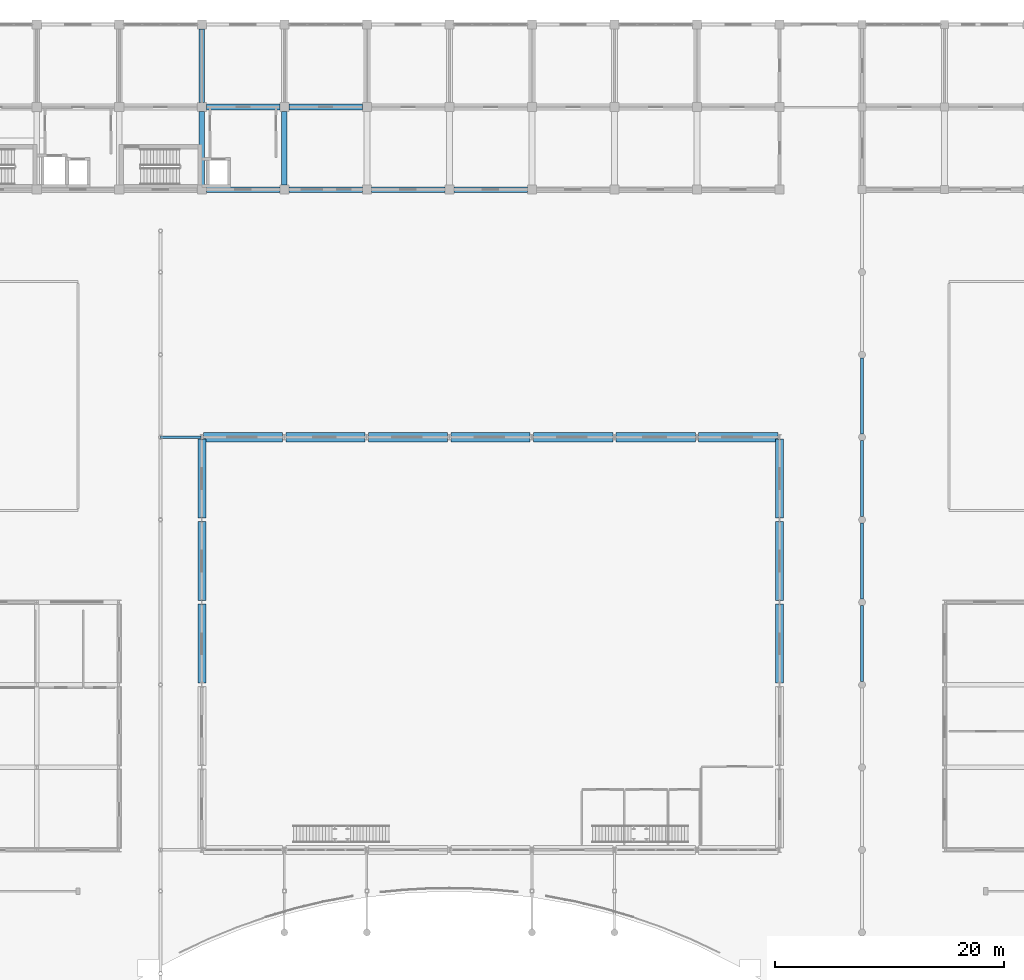
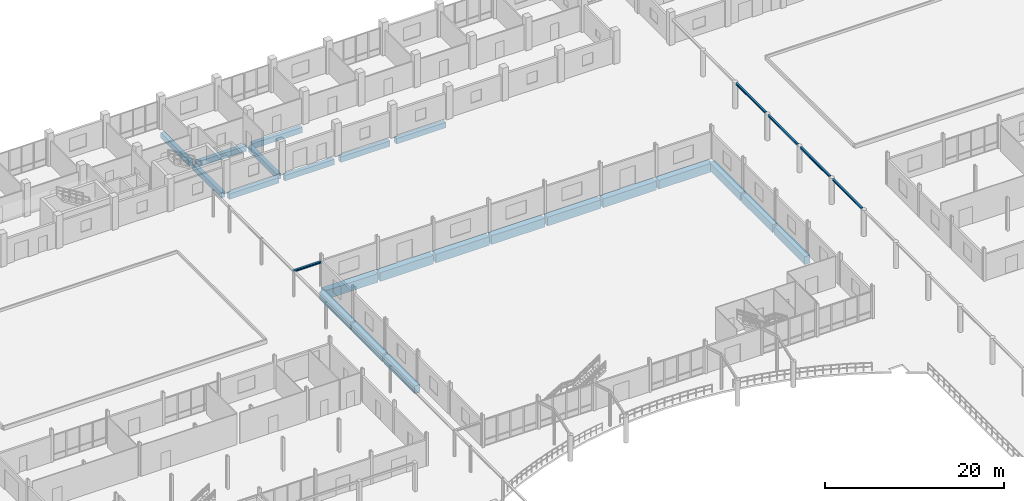
# One storey, part 58 of 139: 27 beams.
"""IFC4 building model written with IfcOpenShell, lengths in metres."""

import ifcopenshell
import ifcopenshell.guid

model = None  # the IFC model being written
_history = None  # IfcOwnerHistory: only IFC2X3 demands one
_inside = {}  # id of a spatial element -> (the spatial element, [elements in it])
_under = {}  # id of a project, library or spatial element -> (it, [spatial elements below it])
_declared = {}  # id of a project -> (the project, [libraries it declares])
_typed = {}  # id of a type object -> (the type object, [elements of that type])
_made_of = {}  # id of a material, layer set ... -> (it, [elements and type objects made of it])


def new_model(schema):
    """Start an empty IFC model of exactly this schema.

    Asked for "IFC4X3", IfcOpenShell would pick the latest addendum, in which some entities
    have other attributes; the version numbers below select the first issue.
    IFC2X3 requires an IfcOwnerHistory on every rooted entity: one is made here for all.
    """
    global model, _history
    if schema == "IFC4X3":
        model = ifcopenshell.file(schema_version=(4, 3, 0, 0))
    else:
        model = ifcopenshell.file(schema=schema)
    _inside.clear()
    _under.clear()
    _declared.clear()
    _typed.clear()
    _made_of.clear()
    _history = None
    if model.schema == "IFC2X3":
        org = make("IfcOrganization", Name="unknown")
        user = make(
            "IfcPersonAndOrganization",
            ThePerson=make("IfcPerson", FamilyName="unknown"),
            TheOrganization=org,
        )
        app = make(
            "IfcApplication",
            ApplicationDeveloper=org,
            Version="unknown",
            ApplicationFullName="unknown",
            ApplicationIdentifier="unknown",
        )
        _history = make(
            "IfcOwnerHistory",
            OwningUser=user,
            OwningApplication=app,
            ChangeAction="ADDED",
            CreationDate=0,
        )
    return model


def make(cls, **values):
    """One entity of the class cls with the attributes given. An attribute that is None is left unset."""
    return model.create_entity(
        cls, **{name: value for name, value in values.items() if value is not None}
    )


def rooted(cls, **values):
    """An entity with a GlobalId (a new one), such as an element, a storey or a relation."""
    return make(cls, GlobalId=ifcopenshell.guid.new(), OwnerHistory=_history, **values)


def si_unit(unit_type, name, prefix=None):
    """IfcSIUnit, for example si_unit("LENGTHUNIT", "METRE", prefix="MILLI")."""
    return make("IfcSIUnit", UnitType=unit_type, Prefix=prefix, Name=name)


def assignment(units):
    """IfcUnitAssignment: the units of a project."""
    return None if units is None else make("IfcUnitAssignment", Units=units)


def point(xyz):
    """IfcCartesianPoint."""
    return None if xyz is None else make("IfcCartesianPoint", Coordinates=xyz)


def direction(xyz):
    """IfcDirection."""
    return None if xyz is None else make("IfcDirection", DirectionRatios=xyz)


def frame(location, z_axis=None, x_axis=None):
    """IfcAxis2Placement3D, a coordinate frame: its origin and axes. An axis left out is left unset."""
    return make(
        "IfcAxis2Placement3D",
        Location=point(location),
        Axis=direction(z_axis),
        RefDirection=direction(x_axis),
    )


def frame_2d(location, x_axis=None):
    """IfcAxis2Placement2D, a coordinate frame in the plane: its origin and x axis."""
    return make(
        "IfcAxis2Placement2D", Location=point(location), RefDirection=direction(x_axis)
    )


def origin():
    """The frame at (0, 0, 0) with its axes left unset."""
    return frame((0.0, 0.0, 0.0))


def origin_2d():
    """The frame at (0, 0) in the plane with its x axis left unset."""
    return frame_2d((0.0, 0.0))


def place(relative_to, where):
    """IfcLocalPlacement: puts the frame where relative to a parent placement (None: the world)."""
    return make(
        "IfcLocalPlacement", PlacementRelTo=relative_to, RelativePlacement=where
    )


def context(
    kind, dimensions, precision=None, world=None, true_north=None, identifier=None
):
    """IfcGeometricRepresentationContext, for example the 3D "Model" context."""
    return make(
        "IfcGeometricRepresentationContext",
        ContextIdentifier=identifier,
        ContextType=kind,
        CoordinateSpaceDimension=dimensions,
        Precision=precision,
        WorldCoordinateSystem=world,
        TrueNorth=true_north,
    )


def subcontext(parent, identifier, kind, view, scale=None):
    """IfcGeometricRepresentationSubContext, for example "Body" below "Model"."""
    return make(
        "IfcGeometricRepresentationSubContext",
        ContextIdentifier=identifier,
        ContextType=kind,
        ParentContext=parent,
        TargetScale=scale,
        TargetView=view,
    )


def project(units=None, contexts=None):
    """IfcProject with its units and contexts."""
    return rooted(
        "IfcProject",
        Name="project",
        RepresentationContexts=contexts,
        UnitsInContext=assignment(units),
    )


def spatial(cls, under=None, at=None, **own):
    """A site, building, storey or space (cls), placed at a placement, below another one or the project."""
    s = rooted(cls, ObjectPlacement=at, **own)
    if under is not None:
        _under.setdefault(under.id(), (under, []))[1].append(s)
    return s


def profile(cls, at=None, kind="AREA", **sizes):
    """A parametric profile (cls). Its sizes go by their IFC names, for example OverallWidth=200.0."""
    return make(cls, ProfileType=kind, Position=at, **sizes)


def rectangle(**sizes):
    """IfcRectangleProfileDef."""
    return profile("IfcRectangleProfileDef", **sizes)


def i_section(**sizes):
    """IfcIShapeProfileDef."""
    return profile("IfcIShapeProfileDef", **sizes)


def extrude(swept, where, along, depth):
    """IfcExtrudedAreaSolid: the profile swept, set in the frame where, extruded along a direction by depth."""
    return make(
        "IfcExtrudedAreaSolid",
        SweptArea=swept,
        Position=where,
        ExtrudedDirection=direction(along),
        Depth=depth,
    )


def shape(context_of_items, identifier, shape_type, items):
    """IfcShapeRepresentation: the items that make up one representation, for example the "Body"."""
    return make(
        "IfcShapeRepresentation",
        ContextOfItems=context_of_items,
        RepresentationIdentifier=identifier,
        RepresentationType=shape_type,
        Items=items,
    )


def material(Name=None, Category=None):
    """IfcMaterial."""
    return make("IfcMaterial", Name=Name, Category=Category)


def material_profile(
    of_material, cross_section, Name=None, Category=None, Priority=None
):
    """IfcMaterialProfile: a cross section and its material."""
    return make(
        "IfcMaterialProfile",
        Name=Name,
        Material=of_material,
        Profile=cross_section,
        Priority=Priority,
        Category=Category,
    )


def profile_set(profiles, Name=None, composite=None):
    """IfcMaterialProfileSet."""
    return make(
        "IfcMaterialProfileSet",
        Name=Name,
        MaterialProfiles=profiles,
        CompositeProfile=composite,
    )


def made_of(thing, what):
    """Note that an element or type object is made of a material, layer set ...; save() writes the relation."""
    if what is not None:
        _made_of.setdefault(what.id(), (what, []))[1].append(thing)
    return thing


def type_object(cls, material=None, **own):
    """A type object (cls), such as IfcWallType, which elements share."""
    return made_of(rooted(cls, **own), material)


def element(
    cls,
    number,
    at=None,
    inside=None,
    cuts=None,
    type_object=None,
    material=None,
    context=None,
    identifier="Body",
    shape_type=None,
    held_by="IfcProductDefinitionShape",
    body=None,
    shapes=None,
    **own,
):
    """One element of the class cls, such as IfcWall. Its Tag is "e" and its number.

    at: its placement. inside: the storey or other place that contains it. cuts: it is an
    opening in that element (IfcRelVoidsElement). A single representation is given by context,
    identifier, shape_type and body (its items); several are given by shapes. held_by: the class
    of the entity that holds the representations. save() writes the other relations.
    """
    e = rooted(cls, Tag="e%d" % number, ObjectPlacement=at, **own)
    if body is not None:
        shapes = [shape(context, identifier, shape_type, body)]
    if shapes is not None:
        e.Representation = make(held_by, Representations=shapes)
    if inside is not None:
        _inside.setdefault(inside.id(), (inside, []))[1].append(e)
    if cuts is not None:
        rooted(
            "IfcRelVoidsElement", RelatingBuildingElement=cuts, RelatedOpeningElement=e
        )
    if type_object is not None:
        _typed.setdefault(type_object.id(), (type_object, []))[1].append(e)
    return made_of(e, material)


def aggregate(whole, parts):
    """IfcRelAggregates: a whole, such as a stair, and the parts it consists of."""
    return rooted("IfcRelAggregates", RelatingObject=whole, RelatedObjects=parts)


def save(model, path):
    """Write the relations noted so far, then the file.

    IfcRelAggregates (storeys below a building ...), IfcRelContainedInSpatialStructure (elements
    in a storey), IfcRelDefinesByType, IfcRelAssociatesMaterial and IfcRelDeclares: one each for
    every whole, place, type object, material and project.
    """
    for whole, parts in _under.values():
        aggregate(whole, parts)
    for where, things in _inside.values():
        rooted(
            "IfcRelContainedInSpatialStructure",
            RelatedElements=things,
            RelatingStructure=where,
        )
    for kind, things in _typed.values():
        rooted("IfcRelDefinesByType", RelatedObjects=things, RelatingType=kind)
    for what, things in _made_of.values():
        rooted("IfcRelAssociatesMaterial", RelatedObjects=things, RelatingMaterial=what)
    for by, libraries in _declared.values():
        rooted("IfcRelDeclares", RelatingContext=by, RelatedDefinitions=libraries)
    model.write(path)


model = new_model("IFC4")

# Units and contexts
model_context = context("Model", 3, precision=1e-05, world=origin(), true_north=direction((0.0, 1.0)))
body_context = subcontext(model_context, "Body", "Model", "MODEL_VIEW")
ifc_project = project(units=[si_unit("LENGTHUNIT", "METRE"), si_unit("AREAUNIT", "SQUARE_METRE"), si_unit("VOLUMEUNIT", "CUBIC_METRE"), si_unit("PLANEANGLEUNIT", "RADIAN"), si_unit("MASSUNIT", "GRAM", prefix="KILO")], contexts=[model_context])

# Site, building, storey
site_placement = place(None, origin())
site = spatial("IfcSite", under=ifc_project, at=site_placement, CompositionType="ELEMENT")
building_placement = place(site_placement, origin())
building = spatial("IfcBuilding", under=site, at=building_placement, Name="Suanplinth Sawtooth Commons", CompositionType="ELEMENT")
storey_placement = place(building_placement, origin())
storey = spatial("IfcBuildingStorey", under=building, at=storey_placement, Name="L00", CompositionType="ELEMENT", Elevation=0.0)

# Beams
ifc_material_1 = material(Name="Concrete C40/50", Category="concrete")
ifc_material_profile_1 = material_profile(ifc_material_1, rectangle(XDim=0.800048828125, YDim=1.199951171875, at=origin_2d()), Name="RC-TG 800x1200")
ifc_profile_set_1 = profile_set([ifc_material_profile_1], Name="Concrete C40/50")
beam_type_1 = type_object("IfcBeamType", Name="B-01", PredefinedType="USERDEFINED", material=ifc_profile_set_1)
for number, where, z_axis, x_axis, name in (
    (1, (64.949951171875, 86.39990234375, -1.010009765625), (1.0, 0.0, 0.0), (0.0, 1.0, 0.0), "BMX-L00-HALL-9-12"),
    (2, (72.14990234375, 86.39990234375, -1.010009765625), (1.0, 0.0, 0.0), (0.0, 1.0, 0.0), "BMX-L00-HALL-10-12"),
):
    element("IfcBeam", number, at=place(storey_placement, frame(where, z_axis=z_axis, x_axis=x_axis)), inside=storey, type_object=beam_type_1, Name=name, ObjectType="GIRDER", PredefinedType="USERDEFINED", context=body_context, shape_type="SweptSolid", body=[
        extrude(rectangle(XDim=0.800048828125, YDim=1.199951171875, at=origin_2d()), origin(), (0.0, 0.0, 1.0), 6.900146484375),
    ])
for number, where, z_axis, x_axis, name in (
    (3, (79.35009765625, 86.39990234375, -1.010009765625), (1.0, 0.0, 0.0), (0.0, 1.0, 0.0), "BMX-L00-HALL-11-12"),
    (4, (86.550048828125, 86.39990234375, -1.010009765625), (1.0, 0.0, 0.0), (0.0, 1.0, 0.0), "BMX-L00-HALL-12-12"),
    (5, (93.75, 86.39990234375, -1.010009765625), (1.0, 0.0, 0.0), (0.0, 1.0, 0.0), "BMX-L00-HALL-13-12"),
):
    element("IfcBeam", number, at=place(storey_placement, frame(where, z_axis=z_axis, x_axis=x_axis)), inside=storey, type_object=beam_type_1, Name=name, ObjectType="GIRDER", PredefinedType="USERDEFINED", context=body_context, shape_type="SweptSolid", body=[
        extrude(rectangle(XDim=0.800048828125, YDim=1.199951171875, at=origin_2d()), origin(), (0.0, 0.0, 1.0), 6.89990234375),
    ])
for number, where, z_axis, x_axis, name in (
    (6, (100.949951171875, 86.39990234375, -1.010009765625), (1.0, 0.0, 0.0), (0.0, 1.0, 0.0), "BMX-L00-HALL-14-12"),
    (7, (108.14990234375, 86.39990234375, -1.010009765625), (1.0, 0.0, 0.0), (0.0, 1.0, 0.0), "BMX-L00-HALL-15-12"),
):
    element("IfcBeam", number, at=place(storey_placement, frame(where, z_axis=z_axis, x_axis=x_axis)), inside=storey, type_object=beam_type_1, Name=name, ObjectType="GIRDER", PredefinedType="USERDEFINED", context=body_context, shape_type="SweptSolid", body=[
        extrude(rectangle(XDim=0.800048828125, YDim=1.199951171875, at=origin_2d()), origin(), (0.0, 0.0, 1.0), 6.900146484375),
    ])
ifc_material_profile_2 = material_profile(ifc_material_1, rectangle(XDim=0.699951171875, YDim=1.10009765625, at=origin_2d()), Name="RC-TG 700x1100")
ifc_profile_set_2 = profile_set([ifc_material_profile_2], Name="Concrete C40/50")
beam_type_2 = type_object("IfcBeamType", Name="B-02", PredefinedType="USERDEFINED", material=ifc_profile_set_2)
for number, where, z_axis, x_axis, name in (
    (8, (64.800048828125, 64.949951171875, -0.9599609375), (0.0, 1.0, 0.0), (-1.0, 0.0, 0.0), "BMY-L00-HALL-9-9"),
    (9, (115.199951171875, 64.949951171875, -0.9599609375), (0.0, 1.0, 0.0), (-1.0, 0.0, 0.0), "BMY-L00-HALL-16-9"),
    (10, (64.800048828125, 72.14990234375, -0.9599609375), (0.0, 1.0, 0.0), (-1.0, 0.0, 0.0), "BMY-L00-HALL-9-10"),
    (11, (115.199951171875, 72.14990234375, -0.9599609375), (0.0, 1.0, 0.0), (-1.0, 0.0, 0.0), "BMY-L00-HALL-16-10"),
):
    element("IfcBeam", number, at=place(storey_placement, frame(where, z_axis=z_axis, x_axis=x_axis)), inside=storey, type_object=beam_type_2, Name=name, ObjectType="GIRDER", PredefinedType="USERDEFINED", context=body_context, shape_type="SweptSolid", body=[
        extrude(rectangle(XDim=0.699951171875, YDim=1.10009765625, at=origin_2d()), origin(), (0.0, 0.0, 1.0), 6.900146484375),
    ])
for number, where, z_axis, x_axis, name in (
    (12, (64.800048828125, 79.35009765625, -0.9599609375), (0.0, 1.0, 0.0), (-1.0, 0.0, 0.0), "BMY-L00-HALL-9-11"),
    (13, (115.199951171875, 79.35009765625, -0.9599609375), (0.0, 1.0, 0.0), (-1.0, 0.0, 0.0), "BMY-L00-HALL-16-11"),
):
    element("IfcBeam", number, at=place(storey_placement, frame(where, z_axis=z_axis, x_axis=x_axis)), inside=storey, type_object=beam_type_2, Name=name, ObjectType="GIRDER", PredefinedType="USERDEFINED", context=body_context, shape_type="SweptSolid", body=[
        extrude(rectangle(XDim=0.699951171875, YDim=1.10009765625, at=origin_2d()), origin(), (0.0, 0.0, 1.0), 6.89990234375),
    ])
ifc_material_profile_3 = material_profile(ifc_material_1, rectangle(XDim=0.5, YDim=0.75, at=origin_2d()), Name="RC-GDR 500x750")
ifc_profile_set_3 = profile_set([ifc_material_profile_3], Name="Concrete C40/50")
beam_type_3 = type_object("IfcBeamType", Name="B-03", PredefinedType="USERDEFINED", material=ifc_profile_set_3)
for number, where, z_axis, x_axis, name in (
    (14, (65.199951171875, 108.0, -0.784912109375), (1.0, 0.0, 0.0), (0.0, 1.0, 0.0), "BMX-L00-A-9-15"),
    (15, (65.199951171875, 115.199951171875, -0.784912109375), (1.0, 0.0, 0.0), (0.0, 1.0, 0.0), "BMX-L00-A-9-16"),
    (16, (72.39990234375, 108.0, -0.784912109375), (1.0, 0.0, 0.0), (0.0, 1.0, 0.0), "BMX-L00-A-10-15"),
    (17, (72.39990234375, 115.199951171875, -0.784912109375), (1.0, 0.0, 0.0), (0.0, 1.0, 0.0), "BMX-L00-A-10-16"),
):
    element("IfcBeam", number, at=place(storey_placement, frame(where, z_axis=z_axis, x_axis=x_axis)), inside=storey, type_object=beam_type_3, Name=name, ObjectType="GIRDER", PredefinedType="USERDEFINED", context=body_context, shape_type="SweptSolid", body=[
        extrude(rectangle(XDim=0.5, YDim=0.75, at=origin_2d()), origin(), (0.0, 0.0, 1.0), 6.400146484375),
    ])
for number, where, z_axis, x_axis, name in (
    (18, (79.60009765625, 108.0, -0.784912109375), (1.0, 0.0, 0.0), (0.0, 1.0, 0.0), "BMX-L00-A-11-15"),
    (19, (86.800048828125, 108.0, -0.784912109375), (1.0, 0.0, 0.0), (0.0, 1.0, 0.0), "BMX-L00-A-12-15"),
):
    element("IfcBeam", number, at=place(storey_placement, frame(where, z_axis=z_axis, x_axis=x_axis)), inside=storey, type_object=beam_type_3, Name=name, ObjectType="GIRDER", PredefinedType="USERDEFINED", context=body_context, shape_type="SweptSolid", body=[
        extrude(rectangle(XDim=0.5, YDim=0.75, at=origin_2d()), origin(), (0.0, 0.0, 1.0), 6.39990234375),
    ])
beam_1_placement = place(storey_placement, frame((64.800048828125, 108.39990234375, -0.784912109375), z_axis=(0.0, 1.0, 0.0), x_axis=(-1.0, 0.0, 0.0)))
element("IfcBeam", 20, at=beam_1_placement, inside=storey, type_object=beam_type_3, Name="BMY-L00-A-9-15", ObjectType="GIRDER", PredefinedType="USERDEFINED", context=body_context, shape_type="SweptSolid", body=[
    extrude(rectangle(XDim=0.5, YDim=0.75, at=origin_2d()), origin(), (0.0, 0.0, 1.0), 6.400146484375),
])
beam_2_placement = place(storey_placement, frame((64.800048828125, 115.60009765625, -0.784912109375), z_axis=(0.0, 1.0, 0.0), x_axis=(-1.0, 0.0, 0.0)))
element("IfcBeam", 21, at=beam_2_placement, inside=storey, type_object=beam_type_3, Name="BMY-L00-A-9-16", ObjectType="GIRDER", PredefinedType="USERDEFINED", context=body_context, shape_type="SweptSolid", body=[
    extrude(rectangle(XDim=0.5, YDim=0.75, at=origin_2d()), origin(), (0.0, 0.0, 1.0), 6.39990234375),
])
beam_3_placement = place(storey_placement, frame((72.0, 108.39990234375, -0.784912109375), z_axis=(0.0, 1.0, 0.0), x_axis=(-1.0, 0.0, 0.0)))
element("IfcBeam", 22, at=beam_3_placement, inside=storey, type_object=beam_type_3, Name="BMY-L00-A-10-15", ObjectType="GIRDER", PredefinedType="USERDEFINED", context=body_context, shape_type="SweptSolid", body=[
    extrude(rectangle(XDim=0.5, YDim=0.75, at=origin_2d()), origin(), (0.0, 0.0, 1.0), 6.400146484375),
])
ifc_material_2 = material(Name="Steel S355JR", Category="steel")
ifc_material_profile_4 = material_profile(ifc_material_2, i_section(OverallWidth=0.239990234375, OverallDepth=0.22998046875, WebThickness=0.007568359375, FlangeThickness=0.011962890625, at=origin_2d()), Name="HEA 240")
ifc_profile_set_4 = profile_set([ifc_material_profile_4], Name="Steel S355JR")
beam_type_4 = type_object("IfcBeamType", Name="B-17", PredefinedType="BEAM", material=ifc_profile_set_4)
beam_4_placement = place(storey_placement, frame((61.199951171875, 86.39990234375, 3.43994140625), z_axis=(1.0, 0.0, 0.0), x_axis=(0.0, 1.0, 0.0)))
element("IfcBeam", 23, at=beam_4_placement, inside=storey, type_object=beam_type_4, Name="West Breezeway Tie Beam 2", PredefinedType="BEAM", context=body_context, shape_type="SweptSolid", body=[
    extrude(i_section(OverallWidth=0.239990234375, OverallDepth=0.22998046875, WebThickness=0.007568359375, FlangeThickness=0.011962890625, at=origin_2d()), origin(), (0.0, 0.0, 1.0), 3.52001953125),
])
for number, where, z_axis, x_axis, name in (
    (24, (122.39990234375, 65.10009765625, 3.43505859375), (0.0, 1.0, 0.0), (-1.0, 0.0, 0.0), "BM-EBZ-SPINE-9"),
    (25, (122.39990234375, 72.300048828125, 3.43505859375), (0.0, 1.0, 0.0), (-1.0, 0.0, 0.0), "BM-EBZ-SPINE-10"),
):
    element("IfcBeam", number, at=place(storey_placement, frame(where, z_axis=z_axis, x_axis=x_axis)), inside=storey, type_object=beam_type_4, Name=name, PredefinedType="BEAM", context=body_context, shape_type="SweptSolid", body=[
        extrude(i_section(OverallWidth=0.239990234375, OverallDepth=0.22998046875, WebThickness=0.007568359375, FlangeThickness=0.011962890625, at=origin_2d()), origin(), (0.0, 0.0, 1.0), 6.599853515625),
    ])
for number, where, z_axis, x_axis, name in (
    (26, (122.39990234375, 79.5, 3.43505859375), (0.0, 1.0, 0.0), (-1.0, 0.0, 0.0), "BM-EBZ-SPINE-11"),
    (27, (122.39990234375, 86.699951171875, 3.43505859375), (0.0, 1.0, 0.0), (-1.0, 0.0, 0.0), "BM-EBZ-SPINE-12"),
):
    element("IfcBeam", number, at=place(storey_placement, frame(where, z_axis=z_axis, x_axis=x_axis)), inside=storey, type_object=beam_type_4, Name=name, PredefinedType="BEAM", context=body_context, shape_type="SweptSolid", body=[
        extrude(i_section(OverallWidth=0.239990234375, OverallDepth=0.22998046875, WebThickness=0.007568359375, FlangeThickness=0.011962890625, at=origin_2d()), origin(), (0.0, 0.0, 1.0), 6.60009765625),
    ])

save(model, "model.ifc")
